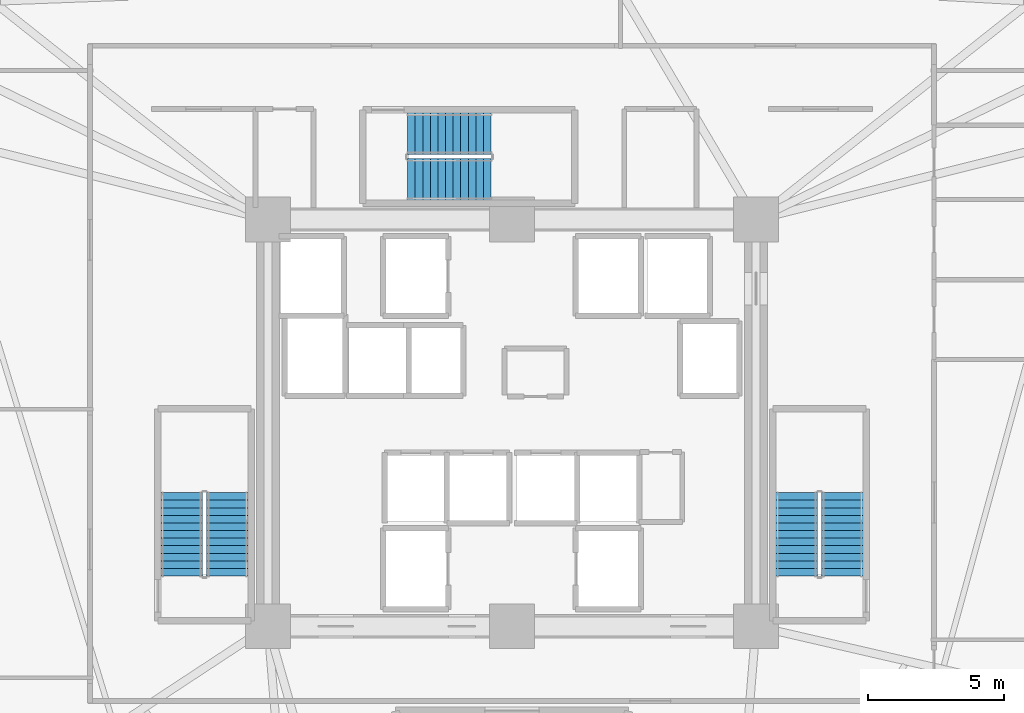
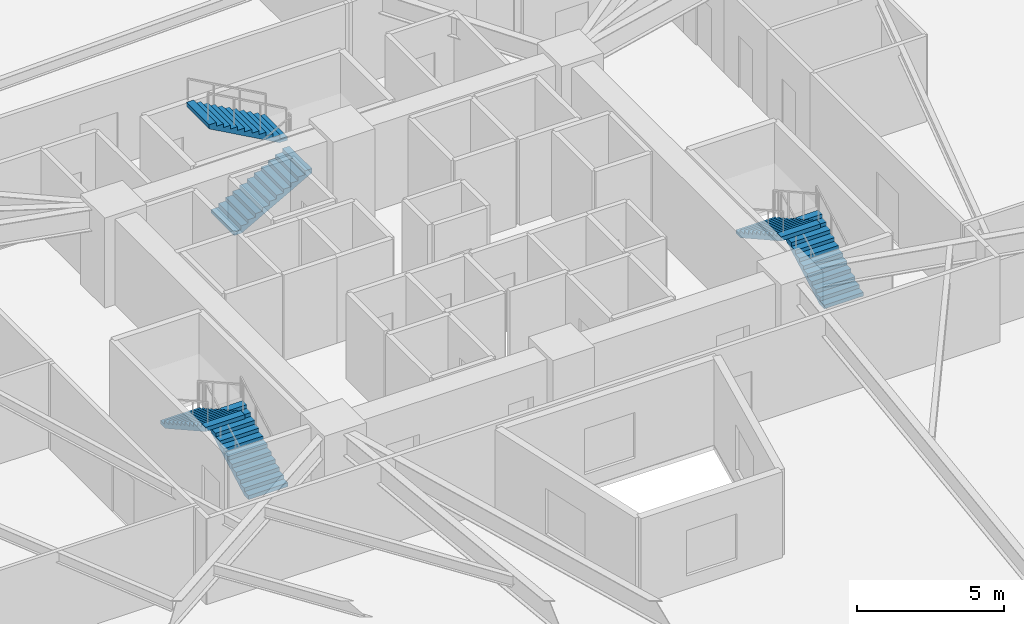
# One storey, part 7 of 8: 6 stair flights, 3 elements without a shape of their own.
"""IFC4 building model written with IfcOpenShell, lengths in metres."""

from ifc_helpers import new_model, si_unit, direction, frame, origin, place, context, subcontext, project, spatial, polyline, outline, extrude, material, type_object, element, aggregate, save


model = new_model("IFC4")

# Units and contexts
model_context = context("Model", 3, precision=1e-05, world=origin(), true_north=direction((0.0, 1.0)))
body_context = subcontext(model_context, "Body", "Model", "MODEL_VIEW")
ifc_project = project(units=[si_unit("LENGTHUNIT", "METRE"), si_unit("AREAUNIT", "SQUARE_METRE"), si_unit("VOLUMEUNIT", "CUBIC_METRE"), si_unit("PLANEANGLEUNIT", "RADIAN"), si_unit("MASSUNIT", "GRAM", prefix="KILO")], contexts=[model_context])

# Site, building, storey
site_placement = place(None, origin())
site = spatial("IfcSite", under=ifc_project, at=site_placement, CompositionType="ELEMENT")
building_placement = place(site_placement, origin())
building = spatial("IfcBuilding", under=site, at=building_placement, Name="Liaohun Quay Tower", CompositionType="ELEMENT")
storey_placement = place(building_placement, frame((0.0, 0.0, 66.75)))
storey = spatial("IfcBuildingStorey", under=building, at=storey_placement, Name="L17", CompositionType="ELEMENT", Elevation=66.75)

# Stair, stair flights
ifc_material = material(Name="Concrete C45", Category="concrete")
stair_type = type_object("IfcStairType", Name="STR-CORE-OFF", PredefinedType="HALF_TURN_STAIR", material=ifc_material)
stair_1_placement = place(storey_placement, origin())
stair_1 = element("IfcStair", 1, at=stair_1_placement, inside=storey, type_object=stair_type, Name="L17 Smokeproof Core Exit Stair ST-1", PredefinedType="HALF_TURN_STAIR")
stair_flight_type = type_object("IfcStairFlightType", Name="FLT-CORE-155", PredefinedType="STRAIGHT", material=ifc_material)
stair_flight_1_placement = place(storey_placement, frame((49.5048828125, 48.35009765625, 0.0), z_axis=(0.0, 0.0, 1.0), x_axis=(0.0, 1.0, 0.0)))
stair_flight_1 = element("IfcStairFlight", 2, at=stair_flight_1_placement, type_object=stair_flight_type, Name="ST-1 flight 1", NumberOfRisers=12, NumberOfTreads=11, PredefinedType="STRAIGHT", RiserHeight=0.15625, TreadLength=0.28, context=body_context, shape_type="SweptSolid", body=[
    extrude(outline(polyline([(0.0, 0.0), (0.0, 0.15625), (0.280029296875, 0.15625), (0.280029296875, 0.3125), (0.56005859375, 0.3125), (0.56005859375, 0.46875), (0.840087890625, 0.46875), (0.840087890625, 0.625), (1.1201171875, 0.625), (1.1201171875, 0.78125), (1.39990234375, 0.78125), (1.39990234375, 0.9375), (1.679931640625, 0.9375), (1.679931640625, 1.09375), (1.9599609375, 1.09375), (1.9599609375, 1.25), (2.239990234375, 1.25), (2.239990234375, 1.40625), (2.52001953125, 1.40625), (2.52001953125, 1.5625), (2.800048828125, 1.5625), (2.800048828125, 1.71875), (3.080078125, 1.71875), (3.080078125, 1.875), (3.080078125, 1.547119140625), (0.3076171875, 0.0), (0.0, 0.0)])), frame((0.0, 0.77490234375, 0.0), z_axis=(0.0, -1.0, 0.0), x_axis=(1.0, 0.0, 0.0)), (0.0, 0.0, 1.0), 1.550048828125),
])
stair_flight_2_placement = place(storey_placement, frame((47.81494140625, 51.429931640625, 1.875), z_axis=(0.0, 0.0, 1.0), x_axis=(0.0, -1.0, 0.0)))
stair_flight_2 = element("IfcStairFlight", 3, at=stair_flight_2_placement, type_object=stair_flight_type, Name="ST-1 flight 2", NumberOfRisers=12, NumberOfTreads=11, PredefinedType="STRAIGHT", RiserHeight=0.15625, TreadLength=0.28, context=body_context, shape_type="SweptSolid", body=[
    extrude(outline(polyline([(0.0, 0.0), (0.0, 0.15625), (0.280029296875, 0.15625), (0.280029296875, 0.3125), (0.56005859375, 0.3125), (0.56005859375, 0.46875), (0.840087890625, 0.46875), (0.840087890625, 0.625), (1.1201171875, 0.625), (1.1201171875, 0.78125), (1.39990234375, 0.78125), (1.39990234375, 0.9375), (1.679931640625, 0.9375), (1.679931640625, 1.09375), (1.9599609375, 1.09375), (1.9599609375, 1.25), (2.239990234375, 1.25), (2.239990234375, 1.40625), (2.52001953125, 1.40625), (2.52001953125, 1.5625), (2.800048828125, 1.5625), (2.800048828125, 1.71875), (3.080078125, 1.71875), (3.080078125, 1.875), (3.080078125, 1.547119140625), (0.3076171875, 0.0), (0.0, 0.0)])), frame((0.0, 0.77490234375, 0.0), z_axis=(0.0, -1.0, 0.0), x_axis=(1.0, 0.0, 0.0)), (0.0, 0.0, 1.0), 1.550048828125),
])
aggregate(stair_1, [stair_flight_1, stair_flight_2])

stair_2_placement = place(storey_placement, origin())
stair_2 = element("IfcStair", 4, at=stair_2_placement, inside=storey, type_object=stair_type, Name="L17 Smokeproof Core Exit Stair ST-2", PredefinedType="HALF_TURN_STAIR")
stair_flight_3_placement = place(storey_placement, frame((72.18505859375, 48.35009765625, 0.0), z_axis=(0.0, 0.0, 1.0), x_axis=(0.0, 1.0, 0.0)))
stair_flight_3 = element("IfcStairFlight", 5, at=stair_flight_3_placement, type_object=stair_flight_type, Name="ST-2 flight 1", NumberOfRisers=12, NumberOfTreads=11, PredefinedType="STRAIGHT", RiserHeight=0.15625, TreadLength=0.28, context=body_context, shape_type="SweptSolid", body=[
    extrude(outline(polyline([(0.0, 0.0), (0.0, 0.15625), (0.280029296875, 0.15625), (0.280029296875, 0.3125), (0.56005859375, 0.3125), (0.56005859375, 0.46875), (0.840087890625, 0.46875), (0.840087890625, 0.625), (1.1201171875, 0.625), (1.1201171875, 0.78125), (1.39990234375, 0.78125), (1.39990234375, 0.9375), (1.679931640625, 0.9375), (1.679931640625, 1.09375), (1.9599609375, 1.09375), (1.9599609375, 1.25), (2.239990234375, 1.25), (2.239990234375, 1.40625), (2.52001953125, 1.40625), (2.52001953125, 1.5625), (2.800048828125, 1.5625), (2.800048828125, 1.71875), (3.080078125, 1.71875), (3.080078125, 1.875), (3.080078125, 1.547119140625), (0.3076171875, 0.0), (0.0, 0.0)])), frame((0.0, 0.77490234375, 0.0), z_axis=(0.0, -1.0, 0.0), x_axis=(1.0, 0.0, 0.0)), (0.0, 0.0, 1.0), 1.550048828125),
])
stair_flight_4_placement = place(storey_placement, frame((70.4951171875, 51.429931640625, 1.875), z_axis=(0.0, 0.0, 1.0), x_axis=(0.0, -1.0, 0.0)))
stair_flight_4 = element("IfcStairFlight", 6, at=stair_flight_4_placement, type_object=stair_flight_type, Name="ST-2 flight 2", NumberOfRisers=12, NumberOfTreads=11, PredefinedType="STRAIGHT", RiserHeight=0.15625, TreadLength=0.28, context=body_context, shape_type="SweptSolid", body=[
    extrude(outline(polyline([(0.0, 0.0), (0.0, 0.15625), (0.280029296875, 0.15625), (0.280029296875, 0.3125), (0.56005859375, 0.3125), (0.56005859375, 0.46875), (0.840087890625, 0.46875), (0.840087890625, 0.625), (1.1201171875, 0.625), (1.1201171875, 0.78125), (1.39990234375, 0.78125), (1.39990234375, 0.9375), (1.679931640625, 0.9375), (1.679931640625, 1.09375), (1.9599609375, 1.09375), (1.9599609375, 1.25), (2.239990234375, 1.25), (2.239990234375, 1.40625), (2.52001953125, 1.40625), (2.52001953125, 1.5625), (2.800048828125, 1.5625), (2.800048828125, 1.71875), (3.080078125, 1.71875), (3.080078125, 1.875), (3.080078125, 1.547119140625), (0.3076171875, 0.0), (0.0, 0.0)])), frame((0.0, 0.77490234375, 0.0), z_axis=(0.0, -1.0, 0.0), x_axis=(1.0, 0.0, 0.0)), (0.0, 0.0, 1.0), 1.550048828125),
])
aggregate(stair_2, [stair_flight_3, stair_flight_4])

stair_3_placement = place(storey_placement, origin())
stair_3 = element("IfcStair", 7, at=stair_3_placement, inside=storey, type_object=stair_type, Name="L17 Smokeproof Core Exit Stair ST-3", PredefinedType="HALF_TURN_STAIR")
stair_flight_5_placement = place(storey_placement, frame((56.14990234375, 62.97509765625, 0.0), z_axis=(0.0, 0.0, 1.0), x_axis=(1.0, 0.0, 0.0)))
stair_flight_5 = element("IfcStairFlight", 8, at=stair_flight_5_placement, type_object=stair_flight_type, Name="ST-3 flight 1", NumberOfRisers=12, NumberOfTreads=11, PredefinedType="STRAIGHT", RiserHeight=0.15625, TreadLength=0.28, context=body_context, shape_type="SweptSolid", body=[
    extrude(outline(polyline([(0.0, 0.0), (0.0, 0.15625), (0.280029296875, 0.15625), (0.280029296875, 0.3125), (0.56005859375, 0.3125), (0.56005859375, 0.46875), (0.840087890625, 0.46875), (0.840087890625, 0.625), (1.1201171875, 0.625), (1.1201171875, 0.78125), (1.39990234375, 0.78125), (1.39990234375, 0.9375), (1.679931640625, 0.9375), (1.679931640625, 1.09375), (1.9599609375, 1.09375), (1.9599609375, 1.25), (2.239990234375, 1.25), (2.239990234375, 1.40625), (2.52001953125, 1.40625), (2.52001953125, 1.5625), (2.800048828125, 1.5625), (2.800048828125, 1.71875), (3.080078125, 1.71875), (3.080078125, 1.875), (3.080078125, 1.547119140625), (0.3076171875, 0.0), (0.0, 0.0)])), frame((0.0, 0.77490234375, 0.0), z_axis=(0.0, -1.0, 0.0), x_axis=(1.0, 0.0, 0.0)), (0.0, 0.0, 1.0), 1.550048828125),
])
stair_flight_6_placement = place(storey_placement, frame((59.22998046875, 64.6650390625, 1.875), z_axis=(0.0, 0.0, 1.0), x_axis=(-1.0, 0.0, 0.0)))
stair_flight_6 = element("IfcStairFlight", 9, at=stair_flight_6_placement, type_object=stair_flight_type, Name="ST-3 flight 2", NumberOfRisers=12, NumberOfTreads=11, PredefinedType="STRAIGHT", RiserHeight=0.15625, TreadLength=0.28, context=body_context, shape_type="SweptSolid", body=[
    extrude(outline(polyline([(0.0, 0.0), (0.0, 0.15625), (0.280029296875, 0.15625), (0.280029296875, 0.3125), (0.56005859375, 0.3125), (0.56005859375, 0.46875), (0.840087890625, 0.46875), (0.840087890625, 0.625), (1.1201171875, 0.625), (1.1201171875, 0.78125), (1.39990234375, 0.78125), (1.39990234375, 0.9375), (1.679931640625, 0.9375), (1.679931640625, 1.09375), (1.9599609375, 1.09375), (1.9599609375, 1.25), (2.239990234375, 1.25), (2.239990234375, 1.40625), (2.52001953125, 1.40625), (2.52001953125, 1.5625), (2.800048828125, 1.5625), (2.800048828125, 1.71875), (3.080078125, 1.71875), (3.080078125, 1.875), (3.080078125, 1.547119140625), (0.3076171875, 0.0), (0.0, 0.0)])), frame((0.0, 0.77490234375, 0.0), z_axis=(0.0, -1.0, 0.0), x_axis=(1.0, 0.0, 0.0)), (0.0, 0.0, 1.0), 1.550048828125),
])
aggregate(stair_3, [stair_flight_5, stair_flight_6])

save(model, "model.ifc")
